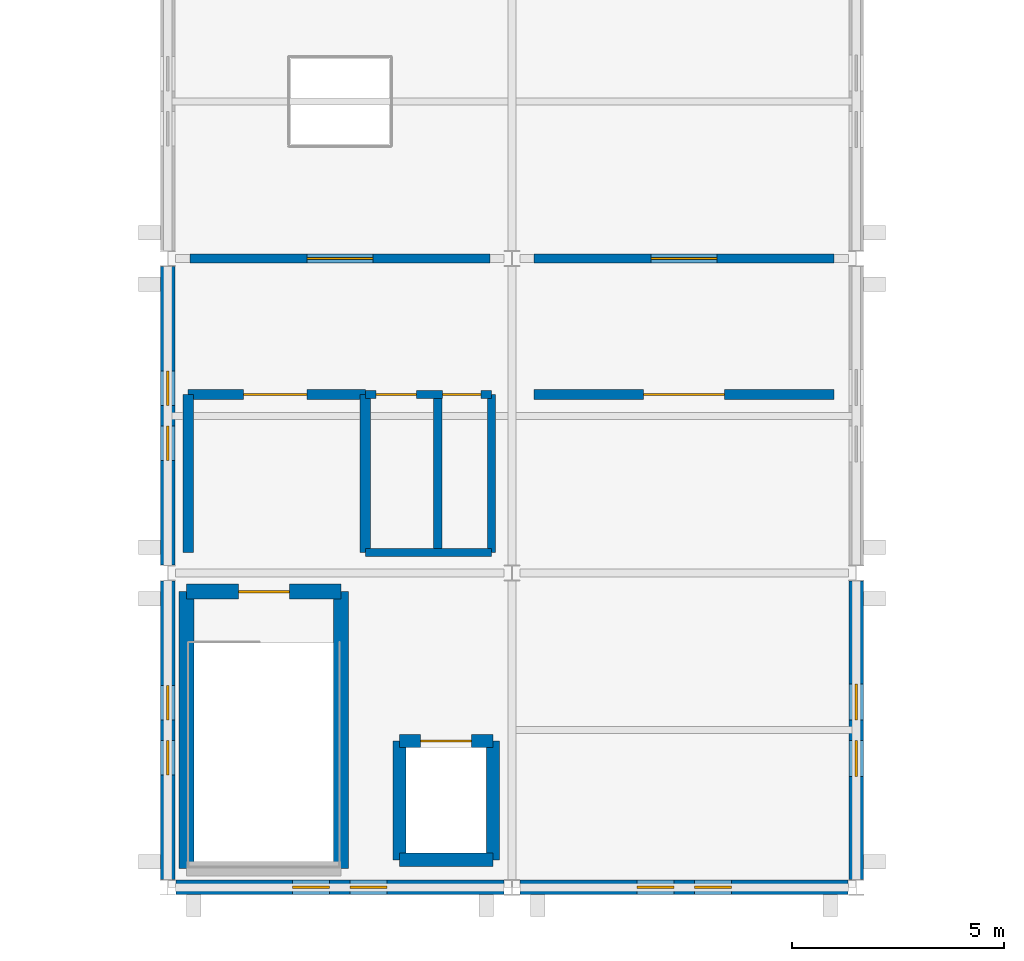
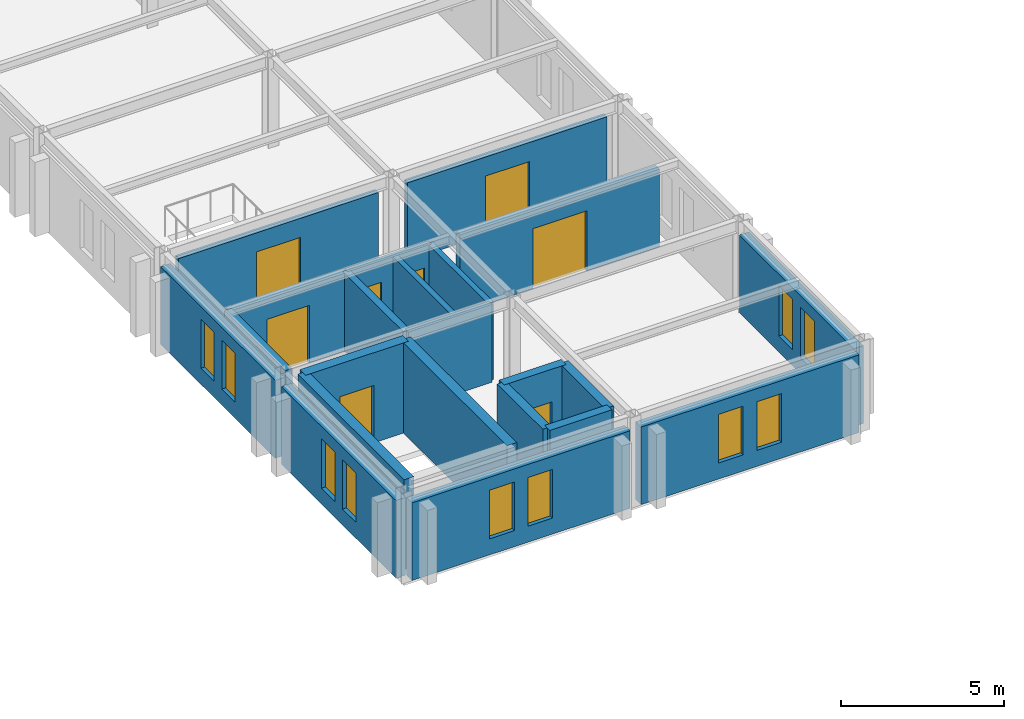
# One storey, part 8 of 19: 22 walls, 10 windows, 8 doors, 18 openings.
"""IFC4 building model written with IfcOpenShell, lengths in metres."""

from ifc_helpers import new_model, si_unit, direction, frame, frame_2d, origin, place, context, subcontext, project, spatial, rectangle, extrude, material, layer, layer_set, type_object, element, fill, save


model = new_model("IFC4")

# Units and contexts
model_context = context("Model", 3, precision=1e-05, world=origin(), true_north=direction((0.0, 1.0)))
body_context = subcontext(model_context, "Body", "Model", "MODEL_VIEW")
ifc_project = project(units=[si_unit("LENGTHUNIT", "METRE"), si_unit("AREAUNIT", "SQUARE_METRE"), si_unit("VOLUMEUNIT", "CUBIC_METRE"), si_unit("PLANEANGLEUNIT", "RADIAN"), si_unit("MASSUNIT", "GRAM", prefix="KILO")], contexts=[model_context])

# Site, building, storey
site_placement = place(None, origin())
site = spatial("IfcSite", under=ifc_project, at=site_placement, CompositionType="ELEMENT")
building_placement = place(site_placement, origin())
building = spatial("IfcBuilding", under=site, at=building_placement, Name="Cimatlan Art Gallery", CompositionType="ELEMENT")
storey_placement = place(building_placement, frame((0.0, 0.0, 17.39990234375)))
storey = spatial("IfcBuildingStorey", under=building, at=storey_placement, Name="L04", CompositionType="ELEMENT", Elevation=17.39990234375)

# Walls
ifc_material_1 = material(Name="Concrete C40/50", Category="concrete")
ifc_layer_1 = layer(ifc_material_1, 0.31005859375)
ifc_layer_set_1 = layer_set([ifc_layer_1], Name="Concrete C40/50")
wall_type_1 = type_object("IfcWallType", Name="W-CORE-310", PredefinedType="SHEAR", material=ifc_layer_set_1)
wall_1_placement = place(storey_placement, frame((39.85009765625, 24.550048828125, 0.0), z_axis=(0.0, 0.0, 1.0), x_axis=(0.0, 1.0, 0.0)))
element("IfcWall", 1, at=wall_1_placement, inside=storey, type_object=wall_type_1, Name="WL-SHFT-C2-L04-LW", PredefinedType="SHEAR", context=body_context, shape_type="SweptSolid", body=[
    extrude(rectangle(XDim=2.800048828125, YDim=0.31005859375, at=frame_2d((1.39990234375, 0.0))), origin(), (0.0, 0.0, 1.0), 3.375),
])
wall_2_placement = place(storey_placement, frame((39.85009765625, 24.550048828125, 0.0), z_axis=(0.0, 0.0, 1.0), x_axis=(1.0, 0.0, 0.0)))
element("IfcWall", 2, at=wall_2_placement, inside=storey, type_object=wall_type_1, Name="WL-SHFT-C2-L04-LS", PredefinedType="SHEAR", context=body_context, shape_type="SweptSolid", body=[
    extrude(rectangle(XDim=2.199951171875, YDim=0.31005859375, at=frame_2d((1.10009765625, 0.0))), origin(), (0.0, 0.0, 1.0), 3.375),
])
wall_3_placement = place(storey_placement, frame((42.050048828125, 24.550048828125, 0.0), z_axis=(0.0, 0.0, 1.0), x_axis=(0.0, 1.0, 0.0)))
element("IfcWall", 3, at=wall_3_placement, inside=storey, type_object=wall_type_1, Name="WL-SHFT-C2-L04-LE", PredefinedType="SHEAR", context=body_context, shape_type="SweptSolid", body=[
    extrude(rectangle(XDim=2.800048828125, YDim=0.31005859375, at=frame_2d((1.39990234375, 0.0))), origin(), (0.0, 0.0, 1.0), 3.375),
])

# Wall, opening, door
wall_4_placement = place(storey_placement, frame((39.85009765625, 27.35009765625, 0.0), z_axis=(0.0, 0.0, 1.0), x_axis=(1.0, 0.0, 0.0)))
wall_4 = element("IfcWall", 4, at=wall_4_placement, inside=storey, type_object=wall_type_1, Name="WL-SHFT-C2-L04-LN", PredefinedType="SHEAR", context=body_context, shape_type="SweptSolid", body=[
    extrude(rectangle(XDim=2.199951171875, YDim=0.31005859375, at=frame_2d((1.10009765625, 0.0))), origin(), (0.0, 0.0, 1.0), 3.375),
])
opening_1_placement = place(wall_4_placement, frame((0.5, 0.0, 0.0)))
opening_1 = element("IfcOpeningElement", 5, at=opening_1_placement, cuts=wall_4, Name="Opening LD-C2-L04", PredefinedType="OPENING", context=body_context, shape_type="SweptSolid", body=[
    extrude(rectangle(XDim=1.199951171875, YDim=2.14990234375, at=frame_2d((0.60009765625, 1.074951171875))), frame((0.0, 0.1650390625, 0.0), z_axis=(0.0, -1.0, 0.0), x_axis=(1.0, 0.0, 0.0)), (0.0, 0.0, 1.0), 0.330078125),
])
ifc_material_2 = material(Name="Fire-rated sliding firefighting lift landing door")
door_type_1 = type_object("IfcDoorType", Name="LD-FF-1200", OperationType="NOTDEFINED", PredefinedType="DOOR", material=ifc_material_2)
door_1_placement = place(opening_1_placement, origin())
door_1 = element("IfcDoor", 6, at=door_1_placement, inside=storey, type_object=door_type_1, Name="LD-FFL-01-L04", OperationType="SLIDING_TO_RIGHT", OverallHeight=2.14990234375, OverallWidth=1.199951171875, PredefinedType="DOOR", context=body_context, shape_type="SweptSolid", body=[
    extrude(rectangle(XDim=1.199951171875, YDim=2.14990234375, at=frame_2d((0.60009765625, 1.074951171875))), frame((0.0, 0.02490234375, 0.0), z_axis=(0.0, -1.0, 0.0), x_axis=(1.0, 0.0, 0.0)), (0.0, 0.0, 1.0), 0.050048828125),
])
fill(opening_1, door_1)

# Walls
ifc_layer_2 = layer(ifc_material_1, 0.35009765625)
ifc_layer_set_2 = layer_set([ifc_layer_2], Name="Concrete C40/50")
wall_type_2 = type_object("IfcWallType", Name="W-CORE-350", PredefinedType="SHEAR", material=ifc_layer_set_2)
for number, where, z_axis, x_axis, name in (
    (7, (34.840087890625, 24.340087890625, 0.0), (0.0, 0.0, 1.0), (0.0, 1.0, 0.0), "WL-CORE-C2-L04-SW"),
    (8, (38.47998046875, 24.340087890625, 0.0), (0.0, 0.0, 1.0), (0.0, 1.0, 0.0), "WL-CORE-C2-L04-SE"),
):
    element("IfcWall", number, at=place(storey_placement, frame(where, z_axis=z_axis, x_axis=x_axis)), inside=storey, type_object=wall_type_2, Name=name, PredefinedType="SHEAR", context=body_context, shape_type="SweptSolid", body=[
        extrude(rectangle(XDim=6.52001953125, YDim=0.35009765625, at=frame_2d((3.260009765625, 0.0))), origin(), (0.0, 0.0, 1.0), 3.375),
    ])

# Wall, opening, door
wall_5_placement = place(storey_placement, frame((34.840087890625, 30.860107421875, 0.0), z_axis=(0.0, 0.0, 1.0), x_axis=(1.0, 0.0, 0.0)))
wall_5 = element("IfcWall", 9, at=wall_5_placement, inside=storey, type_object=wall_type_2, Name="WL-CORE-C2-L04-SN", PredefinedType="SHEAR", context=body_context, shape_type="SweptSolid", body=[
    extrude(rectangle(XDim=3.639892578125, YDim=0.35009765625, at=frame_2d((1.81982421875, 0.0))), origin(), (0.0, 0.0, 1.0), 3.375),
])
opening_2_placement = place(wall_5_placement, frame((1.219970703125, 0.0, 0.0)))
opening_2 = element("IfcOpeningElement", 10, at=opening_2_placement, cuts=wall_5, Name="Opening FD-C2-L04", PredefinedType="OPENING", context=body_context, shape_type="SweptSolid", body=[
    extrude(rectangle(XDim=1.199951171875, YDim=2.14990234375, at=frame_2d((0.60009765625, 1.074951171875))), frame((0.0, 0.18505859375, 0.0), z_axis=(0.0, -1.0, 0.0), x_axis=(1.0, 0.0, 0.0)), (0.0, 0.0, 1.0), 0.3701171875),
])
ifc_material_3 = material(Name="Fire-resisting steel acoustic stair door", Category="steel")
door_type_2 = type_object("IfcDoorType", Name="FD-ST-1200", OperationType="NOTDEFINED", PredefinedType="DOOR", material=ifc_material_3)
door_2_placement = place(opening_2_placement, origin())
door_2 = element("IfcDoor", 11, at=door_2_placement, inside=storey, type_object=door_type_2, Name="DR-C2-L04-ST", OperationType="SINGLE_SWING_LEFT", OverallHeight=2.14990234375, OverallWidth=1.199951171875, PredefinedType="DOOR", context=body_context, shape_type="SweptSolid", body=[
    extrude(rectangle(XDim=1.199951171875, YDim=2.14990234375, at=frame_2d((0.60009765625, 1.074951171875))), frame((0.0, 0.02490234375, 0.0), z_axis=(0.0, -1.0, 0.0), x_axis=(1.0, 0.0, 0.0)), (0.0, 0.0, 1.0), 0.050048828125),
])
fill(opening_2, door_2)

ifc_material_4 = material(Name="Precast concrete C40/50", Category="concrete")
ifc_layer_3 = layer(ifc_material_4, 0.2451171875)
ifc_layer_set_3 = layer_set([ifc_layer_3], Name="Precast concrete C40/50")
wall_type_3 = type_object("IfcWallType", Name="W-FFL-245", PredefinedType="PARTITIONING", material=ifc_layer_set_3)
wall_6_placement = place(storey_placement, frame((34.8798828125, 35.5, 0.0), z_axis=(0.0, 0.0, 1.0), x_axis=(1.0, 0.0, 0.0)))
wall_6 = element("IfcWall", 12, at=wall_6_placement, inside=storey, type_object=wall_type_3, Name="WL-LOB-C2-L04-N", PredefinedType="PARTITIONING", context=body_context, shape_type="SweptSolid", body=[
    extrude(rectangle(XDim=4.170166015625, YDim=0.2451171875, at=frame_2d((2.0849609375, 0.0))), origin(), (0.0, 0.0, 1.0), 2.9130859375),
])
opening_3_placement = place(wall_6_placement, frame((1.300048828125, 0.0, 0.0)))
opening_3 = element("IfcOpeningElement", 13, at=opening_3_placement, cuts=wall_6, Name="Opening FDL-C2-L04", PredefinedType="OPENING", context=body_context, shape_type="SweptSolid", body=[
    extrude(rectangle(XDim=1.5, YDim=2.14990234375, at=frame_2d((0.75, 1.074951171875))), frame((0.0, 0.132568359375, 0.0), z_axis=(0.0, -1.0, 0.0), x_axis=(1.0, 0.0, 0.0)), (0.0, 0.0, 1.0), 0.26513671875),
])
ifc_material_5 = material(Name="Fire-resisting double-seal lobby door")
door_type_3 = type_object("IfcDoorType", Name="FD-LB-1500", OperationType="NOTDEFINED", PredefinedType="DOOR", material=ifc_material_5)
door_3_placement = place(opening_3_placement, origin())
door_3 = element("IfcDoor", 14, at=door_3_placement, inside=storey, type_object=door_type_3, Name="DR-LOB-C2-L04", OperationType="SINGLE_SWING_RIGHT", OverallHeight=2.14990234375, OverallWidth=1.5, PredefinedType="DOOR", context=body_context, shape_type="SweptSolid", body=[
    extrude(rectangle(XDim=1.5, YDim=2.14990234375, at=frame_2d((0.75, 1.074951171875))), frame((0.0, 0.02490234375, 0.0), z_axis=(0.0, -1.0, 0.0), x_axis=(1.0, 0.0, 0.0)), (0.0, 0.0, 1.0), 0.050048828125),
])
fill(opening_3, door_3)

# Walls
for number, where, z_axis, x_axis, name in (
    (15, (34.8798828125, 31.780029296875, 0.0), (0.0, 0.0, 1.0), (0.0, 1.0, 0.0), "WL-LOB-C2-L04-W"),
    (16, (39.050048828125, 31.780029296875, 0.0), (0.0, 0.0, 1.0), (0.0, 1.0, 0.0), "WL-LOB-C2-L04-M"),
):
    element("IfcWall", number, at=place(storey_placement, frame(where, z_axis=z_axis, x_axis=x_axis)), inside=storey, type_object=wall_type_3, Name=name, PredefinedType="PARTITIONING", context=body_context, shape_type="SweptSolid", body=[
        extrude(rectangle(XDim=3.719970703125, YDim=0.2451171875, at=frame_2d((1.85986328125, 0.0))), origin(), (0.0, 0.0, 1.0), 2.9130859375),
    ])

# Wall, opening, door
wall_7_placement = place(storey_placement, frame((43.02001953125, 35.5, 0.0), z_axis=(0.0, 0.0, 1.0), x_axis=(1.0, 0.0, 0.0)))
wall_7 = element("IfcWall", 17, at=wall_7_placement, inside=storey, type_object=wall_type_3, Name="WL-RM-L04-LIB-01", PredefinedType="PARTITIONING", context=body_context, shape_type="SweptSolid", body=[
    extrude(rectangle(XDim=7.06005859375, YDim=0.2451171875, at=frame_2d((3.530029296875, 0.0))), origin(), (0.0, 0.0, 1.0), 2.9130859375),
])
opening_4_placement = place(wall_7_placement, frame((2.580078125, 0.0, 0.0)))
opening_4 = element("IfcOpeningElement", 18, at=opening_4_placement, cuts=wall_7, Name="Opening DI-0261", PredefinedType="OPENING", context=body_context, shape_type="SweptSolid", body=[
    extrude(rectangle(XDim=1.89990234375, YDim=2.25, at=frame_2d((0.949951171875, 1.125))), frame((0.0, 0.132568359375, 0.0), z_axis=(0.0, -1.0, 0.0), x_axis=(1.0, 0.0, 0.0)), (0.0, 0.0, 1.0), 0.26513671875),
])
ifc_material_6 = material(Name="Fire-resisting art-store and archive vault door")
door_type_4 = type_object("IfcDoorType", Name="FD-VL-1900", OperationType="NOTDEFINED", PredefinedType="DOOR", material=ifc_material_6)
door_4_placement = place(opening_4_placement, origin())
door_4 = element("IfcDoor", 19, at=door_4_placement, inside=storey, type_object=door_type_4, Name="DR-RM-L04-LIB-01", OperationType="SINGLE_SWING_LEFT", OverallHeight=2.25, OverallWidth=1.89990234375, PredefinedType="DOOR", context=body_context, shape_type="SweptSolid", body=[
    extrude(rectangle(XDim=1.89990234375, YDim=2.25, at=frame_2d((0.949951171875, 1.125))), frame((0.0, 0.02490234375, 0.0), z_axis=(0.0, -1.0, 0.0), x_axis=(1.0, 0.0, 0.0)), (0.0, 0.0, 1.0), 0.050048828125),
])
fill(opening_4, door_4)

ifc_material_7 = material(Name="Acoustic gypsum and steel stud partition", Category="steel")
ifc_layer_4 = layer(ifc_material_7, 0.205078125)
ifc_layer_set_4 = layer_set([ifc_layer_4], Name="Acoustic gypsum and steel stud partition")
wall_type_4 = type_object("IfcWallType", Name="W-GAL-205", PredefinedType="PARTITIONING", material=ifc_layer_set_4)
wall_8_placement = place(storey_placement, frame((34.919921875, 38.699951171875, 0.0), z_axis=(0.0, 0.0, 1.0), x_axis=(1.0, 0.0, 0.0)))
wall_8 = element("IfcWall", 20, at=wall_8_placement, inside=storey, type_object=wall_type_4, Name="WL-RM-L04-GAL-W1", PredefinedType="PARTITIONING", context=body_context, shape_type="SweptSolid", body=[
    extrude(rectangle(XDim=7.06005859375, YDim=0.205078125, at=frame_2d((3.530029296875, 0.0))), origin(), (0.0, 0.0, 1.0), 2.9130859375),
])
opening_5_placement = place(wall_8_placement, frame((2.7548828125, 0.0, 0.0)))
opening_5 = element("IfcOpeningElement", 21, at=opening_5_placement, cuts=wall_8, Name="Opening DI-0262", PredefinedType="OPENING", context=body_context, shape_type="SweptSolid", body=[
    extrude(rectangle(XDim=1.550048828125, YDim=2.199951171875, at=frame_2d((0.77490234375, 1.10009765625))), frame((0.0, 0.112548828125, 0.0), z_axis=(0.0, -1.0, 0.0), x_axis=(1.0, 0.0, 0.0)), (0.0, 0.0, 1.0), 0.22509765625),
])
ifc_material_8 = material(Name="European oak upper gallery door")
door_type_5 = type_object("IfcDoorType", Name="DI-GL-1550", OperationType="NOTDEFINED", PredefinedType="DOOR", material=ifc_material_8)
door_5_placement = place(opening_5_placement, origin())
door_5 = element("IfcDoor", 22, at=door_5_placement, inside=storey, type_object=door_type_5, Name="DR-RM-L04-GAL-W1", OperationType="SINGLE_SWING_RIGHT", OverallHeight=2.199951171875, OverallWidth=1.550048828125, PredefinedType="DOOR", context=body_context, shape_type="SweptSolid", body=[
    extrude(rectangle(XDim=1.550048828125, YDim=2.199951171875, at=frame_2d((0.77490234375, 1.10009765625))), frame((0.0, 0.02490234375, 0.0), z_axis=(0.0, -1.0, 0.0), x_axis=(1.0, 0.0, 0.0)), (0.0, 0.0, 1.0), 0.050048828125),
])
fill(opening_5, door_5)

wall_9_placement = place(storey_placement, frame((43.02001953125, 38.699951171875, 0.0), z_axis=(0.0, 0.0, 1.0), x_axis=(1.0, 0.0, 0.0)))
wall_9 = element("IfcWall", 23, at=wall_9_placement, inside=storey, type_object=wall_type_4, Name="WL-RM-L04-GAL-W2", PredefinedType="PARTITIONING", context=body_context, shape_type="SweptSolid", body=[
    extrude(rectangle(XDim=7.06005859375, YDim=0.205078125, at=frame_2d((3.530029296875, 0.0))), origin(), (0.0, 0.0, 1.0), 2.9130859375),
])
opening_6_placement = place(wall_9_placement, frame((2.7548828125, 0.0, 0.0)))
opening_6 = element("IfcOpeningElement", 24, at=opening_6_placement, cuts=wall_9, Name="Opening DI-0263", PredefinedType="OPENING", context=body_context, shape_type="SweptSolid", body=[
    extrude(rectangle(XDim=1.550048828125, YDim=2.199951171875, at=frame_2d((0.77490234375, 1.10009765625))), frame((0.0, 0.112548828125, 0.0), z_axis=(0.0, -1.0, 0.0), x_axis=(1.0, 0.0, 0.0)), (0.0, 0.0, 1.0), 0.22509765625),
])
door_6_placement = place(opening_6_placement, origin())
door_6 = element("IfcDoor", 25, at=door_6_placement, inside=storey, type_object=door_type_5, Name="DR-RM-L04-GAL-W2", OperationType="SINGLE_SWING_LEFT", OverallHeight=2.199951171875, OverallWidth=1.550048828125, PredefinedType="DOOR", context=body_context, shape_type="SweptSolid", body=[
    extrude(rectangle(XDim=1.550048828125, YDim=2.199951171875, at=frame_2d((0.77490234375, 1.10009765625))), frame((0.0, 0.02490234375, 0.0), z_axis=(0.0, -1.0, 0.0), x_axis=(1.0, 0.0, 0.0)), (0.0, 0.0, 1.0), 0.050048828125),
])
fill(opening_6, door_6)

# Walls
ifc_material_9 = material(Name="Moisture-resistant fire-rated plumbing wall")
ifc_layer_5 = layer(ifc_material_9, 0.195068359375)
ifc_layer_set_5 = layer_set([ifc_layer_5], Name="Moisture-resistant fire-rated plumbing wall")
wall_type_5 = type_object("IfcWallType", Name="W-PLM-195", PredefinedType="PARTITIONING", material=ifc_layer_set_5)
for number, where, z_axis, x_axis, name in (
    (26, (40.75, 31.780029296875, 0.0), (0.0, 0.0, 1.0), (0.0, 1.0, 0.0), "WL-LOB-C2-L04-D"),
    (27, (42.02001953125, 31.780029296875, 0.0), (0.0, 0.0, 1.0), (0.0, 1.0, 0.0), "WL-LOB-C2-L04-E"),
):
    element("IfcWall", number, at=place(storey_placement, frame(where, z_axis=z_axis, x_axis=x_axis)), inside=storey, type_object=wall_type_5, Name=name, PredefinedType="PARTITIONING", context=body_context, shape_type="SweptSolid", body=[
        extrude(rectangle(XDim=3.719970703125, YDim=0.195068359375, at=frame_2d((1.85986328125, 0.0))), origin(), (0.0, 0.0, 1.0), 2.9130859375),
    ])
wall_10_placement = place(storey_placement, frame((39.050048828125, 31.780029296875, 0.0), z_axis=(0.0, 0.0, 1.0), x_axis=(1.0, 0.0, 0.0)))
element("IfcWall", 28, at=wall_10_placement, inside=storey, type_object=wall_type_5, Name="WL-LOB-C2-L04-S", PredefinedType="PARTITIONING", context=body_context, shape_type="SweptSolid", body=[
    extrude(rectangle(XDim=2.969970703125, YDim=0.195068359375, at=frame_2d((1.48486328125, 0.0))), origin(), (0.0, 0.0, 1.0), 2.9130859375),
])

# Wall, openings, doors
wall_11_placement = place(storey_placement, frame((39.050048828125, 35.5, 0.0), z_axis=(0.0, 0.0, 1.0), x_axis=(1.0, 0.0, 0.0)))
wall_11 = element("IfcWall", 29, at=wall_11_placement, inside=storey, type_object=wall_type_5, Name="WL-WC-C2-L04-N", PredefinedType="PARTITIONING", context=body_context, shape_type="SweptSolid", body=[
    extrude(rectangle(XDim=2.969970703125, YDim=0.195068359375, at=frame_2d((1.48486328125, 0.0))), origin(), (0.0, 0.0, 1.0), 2.9130859375),
])
opening_7_placement = place(wall_11_placement, frame((0.25, 0.0, 0.0)))
opening_7 = element("IfcOpeningElement", 30, at=opening_7_placement, cuts=wall_11, Name="Opening DWC-C2A-L04", PredefinedType="OPENING", context=body_context, shape_type="SweptSolid", body=[
    extrude(rectangle(XDim=0.949951171875, YDim=2.10009765625, at=frame_2d((0.47509765625, 1.050048828125))), frame((0.0, 0.107421875, 0.0), z_axis=(0.0, -1.0, 0.0), x_axis=(1.0, 0.0, 0.0)), (0.0, 0.0, 1.0), 0.215087890625),
])
opening_8_placement = place(wall_11_placement, frame((1.820068359375, 0.0, 0.0)))
opening_8 = element("IfcOpeningElement", 31, at=opening_8_placement, cuts=wall_11, Name="Opening DWC-C2B-L04", PredefinedType="OPENING", context=body_context, shape_type="SweptSolid", body=[
    extrude(rectangle(XDim=0.89990234375, YDim=2.10009765625, at=frame_2d((0.449951171875, 1.050048828125))), frame((0.0, 0.107421875, 0.0), z_axis=(0.0, -1.0, 0.0), x_axis=(1.0, 0.0, 0.0)), (0.0, 0.0, 1.0), 0.215087890625),
])
ifc_material_10 = material(Name="Sanitary room door")
door_type_6 = type_object("IfcDoorType", Name="DI-WC-0900", OperationType="NOTDEFINED", PredefinedType="DOOR", material=ifc_material_10)
door_7_placement = place(opening_8_placement, origin())
door_7 = element("IfcDoor", 32, at=door_7_placement, inside=storey, type_object=door_type_6, Name="DR-PWC-C2-L04", OperationType="SINGLE_SWING_RIGHT", OverallHeight=2.10009765625, OverallWidth=0.89990234375, PredefinedType="DOOR", context=body_context, shape_type="SweptSolid", body=[
    extrude(rectangle(XDim=0.89990234375, YDim=2.10009765625, at=frame_2d((0.449951171875, 1.050048828125))), frame((0.0, 0.02490234375, 0.0), z_axis=(0.0, -1.0, 0.0), x_axis=(1.0, 0.0, 0.0)), (0.0, 0.0, 1.0), 0.050048828125),
])
fill(opening_8, door_7)
ifc_material_11 = material(Name="Accessible sanitary room door")
door_type_7 = type_object("IfcDoorType", Name="DI-WC-0950", OperationType="NOTDEFINED", PredefinedType="DOOR", material=ifc_material_11)
door_8_placement = place(opening_7_placement, origin())
door_8 = element("IfcDoor", 33, at=door_8_placement, inside=storey, type_object=door_type_7, Name="DR-AWC-C2-L04", OperationType="SINGLE_SWING_LEFT", OverallHeight=2.10009765625, OverallWidth=0.949951171875, PredefinedType="DOOR", context=body_context, shape_type="SweptSolid", body=[
    extrude(rectangle(XDim=0.949951171875, YDim=2.10009765625, at=frame_2d((0.47509765625, 1.050048828125))), frame((0.0, 0.02490234375, 0.0), z_axis=(0.0, -1.0, 0.0), x_axis=(1.0, 0.0, 0.0)), (0.0, 0.0, 1.0), 0.050048828125),
])
fill(opening_7, door_8)

# Wall, openings, windows
ifc_layer_6 = layer(ifc_material_4, 0.340087890625)
ifc_layer_set_6 = layer_set([ifc_layer_6], Name="Precast concrete C40/50")
wall_type_6 = type_object("IfcWallType", Name="WL-EXT-STD-340", PredefinedType="SOLIDWALL", material=ifc_layer_set_6)
wall_12_placement = place(storey_placement, frame((42.30908203125, 23.89990234375, 0.0), z_axis=(0.0, 0.0, 1.0), x_axis=(-1.0, 0.0, 0.0)))
wall_12 = element("IfcWall", 34, at=wall_12_placement, inside=storey, type_object=wall_type_6, Name="WL-EXT-L04-04-03-S", PredefinedType="SOLIDWALL", context=body_context, shape_type="SweptSolid", body=[
    extrude(rectangle(XDim=7.719482421875, YDim=0.340087890625, at=frame_2d((3.85986328125, 0.0))), origin(), (0.0, 0.0, 1.0), 2.908203125),
])
opening_9_placement = place(wall_12_placement, frame((2.749755859375, 0.0, 0.60009765625)))
opening_9 = element("IfcOpeningElement", 35, at=opening_9_placement, cuts=wall_12, Name="Opening WN-0301", PredefinedType="OPENING", context=body_context, shape_type="SweptSolid", body=[
    extrude(rectangle(XDim=0.8701171875, YDim=1.820068359375, at=frame_2d((0.43505859375, 0.91015625))), frame((0.0, 0.18017578125, 0.0), z_axis=(0.0, -1.0, 0.0), x_axis=(1.0, 0.0, 0.0)), (0.0, 0.0, 1.0), 0.360107421875),
])
opening_10_placement = place(wall_12_placement, frame((4.099609375, 0.0, 0.60009765625)))
opening_10 = element("IfcOpeningElement", 36, at=opening_10_placement, cuts=wall_12, Name="Opening WN-0302", PredefinedType="OPENING", context=body_context, shape_type="SweptSolid", body=[
    extrude(rectangle(XDim=0.8701171875, YDim=1.820068359375, at=frame_2d((0.43505859375, 0.91015625))), frame((0.0, 0.18017578125, 0.0), z_axis=(0.0, -1.0, 0.0), x_axis=(1.0, 0.0, 0.0)), (0.0, 0.0, 1.0), 0.360107421875),
])
ifc_material_12 = material(Name="Low-E laminated double glazing in bronze lancet frame", Category="glass")
window_type_1 = type_object("IfcWindowType", Name="WIN-S-L04-0870X1820", PartitioningType="SINGLE_PANEL", PredefinedType="WINDOW", material=ifc_material_12)
window_1_placement = place(opening_9_placement, origin())
window_1 = element("IfcWindow", 37, at=window_1_placement, inside=storey, type_object=window_type_1, Name="WIN-0301", OverallHeight=1.820068359375, OverallWidth=0.8701171875, PartitioningType="SINGLE_PANEL", PredefinedType="WINDOW", context=body_context, shape_type="SweptSolid", body=[
    extrude(rectangle(XDim=0.8701171875, YDim=1.820068359375, at=frame_2d((0.43505859375, 0.91015625))), frame((0.0, 0.030029296875, 0.0), z_axis=(0.0, -1.0, 0.0), x_axis=(1.0, 0.0, 0.0)), (0.0, 0.0, 1.0), 0.06005859375),
])
fill(opening_9, window_1)
window_2_placement = place(opening_10_placement, origin())
window_2 = element("IfcWindow", 38, at=window_2_placement, inside=storey, type_object=window_type_1, Name="WIN-0302", OverallHeight=1.820068359375, OverallWidth=0.8701171875, PartitioningType="SINGLE_PANEL", PredefinedType="WINDOW", context=body_context, shape_type="SweptSolid", body=[
    extrude(rectangle(XDim=0.8701171875, YDim=1.820068359375, at=frame_2d((0.43505859375, 0.91015625))), frame((0.0, 0.030029296875, 0.0), z_axis=(0.0, -1.0, 0.0), x_axis=(1.0, 0.0, 0.0)), (0.0, 0.0, 1.0), 0.06005859375),
])
fill(opening_10, window_2)

wall_13_placement = place(storey_placement, frame((34.39990234375, 24.0859375, 0.0), z_axis=(0.0, 0.0, 1.0), x_axis=(0.0, 1.0, 0.0)))
wall_13 = element("IfcWall", 39, at=wall_13_placement, inside=storey, type_object=wall_type_6, Name="WL-EXT-L04-04-03-W", PredefinedType="SOLIDWALL", context=body_context, shape_type="SweptSolid", body=[
    extrude(rectangle(XDim=7.028076171875, YDim=0.340087890625, at=frame_2d((3.51416015625, 0.0))), origin(), (0.0, 0.0, 1.0), 2.908203125),
])
opening_11_placement = place(wall_13_placement, frame((2.464111328125, 0.0, 0.60009765625)))
opening_11 = element("IfcOpeningElement", 40, at=opening_11_placement, cuts=wall_13, Name="Opening WN-0303", PredefinedType="OPENING", context=body_context, shape_type="SweptSolid", body=[
    extrude(rectangle(XDim=0.81005859375, YDim=1.840087890625, at=frame_2d((0.405029296875, 0.919921875))), frame((0.0, 0.18017578125, 0.0), z_axis=(0.0, -1.0, 0.0), x_axis=(1.0, 0.0, 0.0)), (0.0, 0.0, 1.0), 0.360107421875),
])
opening_12_placement = place(wall_13_placement, frame((3.75390625, 0.0, 0.60009765625)))
opening_12 = element("IfcOpeningElement", 41, at=opening_12_placement, cuts=wall_13, Name="Opening WN-0304", PredefinedType="OPENING", context=body_context, shape_type="SweptSolid", body=[
    extrude(rectangle(XDim=0.81005859375, YDim=1.840087890625, at=frame_2d((0.405029296875, 0.919921875))), frame((0.0, 0.18017578125, 0.0), z_axis=(0.0, -1.0, 0.0), x_axis=(1.0, 0.0, 0.0)), (0.0, 0.0, 1.0), 0.360107421875),
])
window_type_2 = type_object("IfcWindowType", Name="WIN-W-L04-0810X1840", PartitioningType="SINGLE_PANEL", PredefinedType="WINDOW", material=ifc_material_12)
window_3_placement = place(opening_11_placement, origin())
window_3 = element("IfcWindow", 42, at=window_3_placement, inside=storey, type_object=window_type_2, Name="WIN-0303", OverallHeight=1.840087890625, OverallWidth=0.81005859375, PartitioningType="SINGLE_PANEL", PredefinedType="WINDOW", context=body_context, shape_type="SweptSolid", body=[
    extrude(rectangle(XDim=0.81005859375, YDim=1.840087890625, at=frame_2d((0.405029296875, 0.919921875))), frame((0.0, 0.030029296875, 0.0), z_axis=(0.0, -1.0, 0.0), x_axis=(1.0, 0.0, 0.0)), (0.0, 0.0, 1.0), 0.06005859375),
])
fill(opening_11, window_3)
window_4_placement = place(opening_12_placement, origin())
window_4 = element("IfcWindow", 43, at=window_4_placement, inside=storey, type_object=window_type_2, Name="WIN-0304", OverallHeight=1.840087890625, OverallWidth=0.81005859375, PartitioningType="SINGLE_PANEL", PredefinedType="WINDOW", context=body_context, shape_type="SweptSolid", body=[
    extrude(rectangle(XDim=0.81005859375, YDim=1.840087890625, at=frame_2d((0.405029296875, 0.919921875))), frame((0.0, 0.030029296875, 0.0), z_axis=(0.0, -1.0, 0.0), x_axis=(1.0, 0.0, 0.0)), (0.0, 0.0, 1.0), 0.06005859375),
])
fill(opening_12, window_4)

wall_14_placement = place(storey_placement, frame((34.39990234375, 31.486083984375, 0.0), z_axis=(0.0, 0.0, 1.0), x_axis=(0.0, 1.0, 0.0)))
wall_14 = element("IfcWall", 44, at=wall_14_placement, inside=storey, type_object=wall_type_6, Name="WL-EXT-L04-04-04-W", PredefinedType="SOLIDWALL", context=body_context, shape_type="SweptSolid", body=[
    extrude(rectangle(XDim=7.02783203125, YDim=0.340087890625, at=frame_2d((3.513916015625, 0.0))), origin(), (0.0, 0.0, 1.0), 2.908203125),
])
opening_13_placement = place(wall_14_placement, frame((2.464111328125, 0.0, 0.60009765625)))
opening_13 = element("IfcOpeningElement", 45, at=opening_13_placement, cuts=wall_14, Name="Opening WN-0305", PredefinedType="OPENING", context=body_context, shape_type="SweptSolid", body=[
    extrude(rectangle(XDim=0.81005859375, YDim=1.840087890625, at=frame_2d((0.405029296875, 0.919921875))), frame((0.0, 0.18017578125, 0.0), z_axis=(0.0, -1.0, 0.0), x_axis=(1.0, 0.0, 0.0)), (0.0, 0.0, 1.0), 0.360107421875),
])
opening_14_placement = place(wall_14_placement, frame((3.75390625, 0.0, 0.60009765625)))
opening_14 = element("IfcOpeningElement", 46, at=opening_14_placement, cuts=wall_14, Name="Opening WN-0306", PredefinedType="OPENING", context=body_context, shape_type="SweptSolid", body=[
    extrude(rectangle(XDim=0.81005859375, YDim=1.840087890625, at=frame_2d((0.405029296875, 0.919921875))), frame((0.0, 0.18017578125, 0.0), z_axis=(0.0, -1.0, 0.0), x_axis=(1.0, 0.0, 0.0)), (0.0, 0.0, 1.0), 0.360107421875),
])
window_5_placement = place(opening_13_placement, origin())
window_5 = element("IfcWindow", 47, at=window_5_placement, inside=storey, type_object=window_type_2, Name="WIN-0305", OverallHeight=1.840087890625, OverallWidth=0.81005859375, PartitioningType="SINGLE_PANEL", PredefinedType="WINDOW", context=body_context, shape_type="SweptSolid", body=[
    extrude(rectangle(XDim=0.81005859375, YDim=1.840087890625, at=frame_2d((0.405029296875, 0.919921875))), frame((0.0, 0.030029296875, 0.0), z_axis=(0.0, -1.0, 0.0), x_axis=(1.0, 0.0, 0.0)), (0.0, 0.0, 1.0), 0.06005859375),
])
fill(opening_13, window_5)
window_6_placement = place(opening_14_placement, origin())
window_6 = element("IfcWindow", 48, at=window_6_placement, inside=storey, type_object=window_type_2, Name="WIN-0306", OverallHeight=1.840087890625, OverallWidth=0.81005859375, PartitioningType="SINGLE_PANEL", PredefinedType="WINDOW", context=body_context, shape_type="SweptSolid", body=[
    extrude(rectangle(XDim=0.81005859375, YDim=1.840087890625, at=frame_2d((0.405029296875, 0.919921875))), frame((0.0, 0.030029296875, 0.0), z_axis=(0.0, -1.0, 0.0), x_axis=(1.0, 0.0, 0.0)), (0.0, 0.0, 1.0), 0.06005859375),
])
fill(opening_14, window_6)

wall_15_placement = place(storey_placement, frame((50.408935546875, 23.89990234375, 0.0), z_axis=(0.0, 0.0, 1.0), x_axis=(-1.0, 0.0, 0.0)))
wall_15 = element("IfcWall", 49, at=wall_15_placement, inside=storey, type_object=wall_type_6, Name="WL-EXT-L04-05-03-S", PredefinedType="SOLIDWALL", context=body_context, shape_type="SweptSolid", body=[
    extrude(rectangle(XDim=7.718017578125, YDim=0.340087890625, at=frame_2d((3.85888671875, 0.0))), origin(), (0.0, 0.0, 1.0), 2.908203125),
])
opening_15_placement = place(wall_15_placement, frame((2.7490234375, 0.0, 0.60009765625)))
opening_15 = element("IfcOpeningElement", 50, at=opening_15_placement, cuts=wall_15, Name="Opening WN-0315", PredefinedType="OPENING", context=body_context, shape_type="SweptSolid", body=[
    extrude(rectangle(XDim=0.8701171875, YDim=1.820068359375, at=frame_2d((0.43505859375, 0.91015625))), frame((0.0, 0.18017578125, 0.0), z_axis=(0.0, -1.0, 0.0), x_axis=(1.0, 0.0, 0.0)), (0.0, 0.0, 1.0), 0.360107421875),
])
opening_16_placement = place(wall_15_placement, frame((4.09912109375, 0.0, 0.60009765625)))
opening_16 = element("IfcOpeningElement", 51, at=opening_16_placement, cuts=wall_15, Name="Opening WN-0316", PredefinedType="OPENING", context=body_context, shape_type="SweptSolid", body=[
    extrude(rectangle(XDim=0.8701171875, YDim=1.820068359375, at=frame_2d((0.43505859375, 0.91015625))), frame((0.0, 0.18017578125, 0.0), z_axis=(0.0, -1.0, 0.0), x_axis=(1.0, 0.0, 0.0)), (0.0, 0.0, 1.0), 0.360107421875),
])
window_7_placement = place(opening_15_placement, origin())
window_7 = element("IfcWindow", 52, at=window_7_placement, inside=storey, type_object=window_type_1, Name="WIN-0315", OverallHeight=1.820068359375, OverallWidth=0.8701171875, PartitioningType="SINGLE_PANEL", PredefinedType="WINDOW", context=body_context, shape_type="SweptSolid", body=[
    extrude(rectangle(XDim=0.8701171875, YDim=1.820068359375, at=frame_2d((0.43505859375, 0.91015625))), frame((0.0, 0.030029296875, 0.0), z_axis=(0.0, -1.0, 0.0), x_axis=(1.0, 0.0, 0.0)), (0.0, 0.0, 1.0), 0.06005859375),
])
fill(opening_15, window_7)
window_8_placement = place(opening_16_placement, origin())
window_8 = element("IfcWindow", 53, at=window_8_placement, inside=storey, type_object=window_type_1, Name="WIN-0316", OverallHeight=1.820068359375, OverallWidth=0.8701171875, PartitioningType="SINGLE_PANEL", PredefinedType="WINDOW", context=body_context, shape_type="SweptSolid", body=[
    extrude(rectangle(XDim=0.8701171875, YDim=1.820068359375, at=frame_2d((0.43505859375, 0.91015625))), frame((0.0, 0.030029296875, 0.0), z_axis=(0.0, -1.0, 0.0), x_axis=(1.0, 0.0, 0.0)), (0.0, 0.0, 1.0), 0.06005859375),
])
fill(opening_16, window_8)

wall_16_placement = place(storey_placement, frame((50.60009765625, 31.110107421875, 0.0), z_axis=(0.0, 0.0, 1.0), x_axis=(0.0, -1.0, 0.0)))
wall_16 = element("IfcWall", 54, at=wall_16_placement, inside=storey, type_object=wall_type_6, Name="WL-EXT-L04-05-03-E", PredefinedType="SOLIDWALL", context=body_context, shape_type="SweptSolid", body=[
    extrude(rectangle(XDim=7.02001953125, YDim=0.340087890625, at=frame_2d((3.510009765625, 0.0))), origin(), (0.0, 0.0, 1.0), 2.908203125),
])
opening_17_placement = place(wall_16_placement, frame((2.419921875, 0.0, 0.60009765625)))
opening_17 = element("IfcOpeningElement", 55, at=opening_17_placement, cuts=wall_16, Name="Opening WN-0317", PredefinedType="OPENING", context=body_context, shape_type="SweptSolid", body=[
    extrude(rectangle(XDim=0.85009765625, YDim=1.8798828125, at=frame_2d((0.425048828125, 0.93994140625))), frame((0.0, 0.18017578125, 0.0), z_axis=(0.0, -1.0, 0.0), x_axis=(1.0, 0.0, 0.0)), (0.0, 0.0, 1.0), 0.360107421875),
])
opening_18_placement = place(wall_16_placement, frame((3.75, 0.0, 0.60009765625)))
opening_18 = element("IfcOpeningElement", 56, at=opening_18_placement, cuts=wall_16, Name="Opening WN-0318", PredefinedType="OPENING", context=body_context, shape_type="SweptSolid", body=[
    extrude(rectangle(XDim=0.85009765625, YDim=1.8798828125, at=frame_2d((0.425048828125, 0.93994140625))), frame((0.0, 0.18017578125, 0.0), z_axis=(0.0, -1.0, 0.0), x_axis=(1.0, 0.0, 0.0)), (0.0, 0.0, 1.0), 0.360107421875),
])
window_type_3 = type_object("IfcWindowType", Name="WIN-E-L04-0850X1880", PartitioningType="SINGLE_PANEL", PredefinedType="WINDOW", material=ifc_material_12)
window_9_placement = place(opening_17_placement, origin())
window_9 = element("IfcWindow", 57, at=window_9_placement, inside=storey, type_object=window_type_3, Name="WIN-0317", OverallHeight=1.8798828125, OverallWidth=0.85009765625, PartitioningType="SINGLE_PANEL", PredefinedType="WINDOW", context=body_context, shape_type="SweptSolid", body=[
    extrude(rectangle(XDim=0.85009765625, YDim=1.8798828125, at=frame_2d((0.425048828125, 0.93994140625))), frame((0.0, 0.030029296875, 0.0), z_axis=(0.0, -1.0, 0.0), x_axis=(1.0, 0.0, 0.0)), (0.0, 0.0, 1.0), 0.06005859375),
])
fill(opening_17, window_9)
window_10_placement = place(opening_18_placement, origin())
window_10 = element("IfcWindow", 58, at=window_10_placement, inside=storey, type_object=window_type_3, Name="WIN-0318", OverallHeight=1.8798828125, OverallWidth=0.85009765625, PartitioningType="SINGLE_PANEL", PredefinedType="WINDOW", context=body_context, shape_type="SweptSolid", body=[
    extrude(rectangle(XDim=0.85009765625, YDim=1.8798828125, at=frame_2d((0.425048828125, 0.93994140625))), frame((0.0, 0.030029296875, 0.0), z_axis=(0.0, -1.0, 0.0), x_axis=(1.0, 0.0, 0.0)), (0.0, 0.0, 1.0), 0.06005859375),
])
fill(opening_18, window_10)

save(model, "model.ifc")
